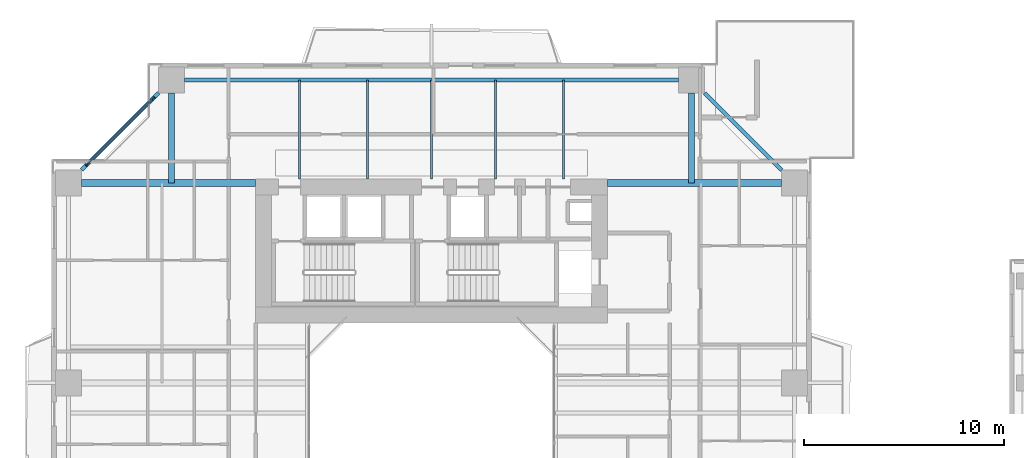
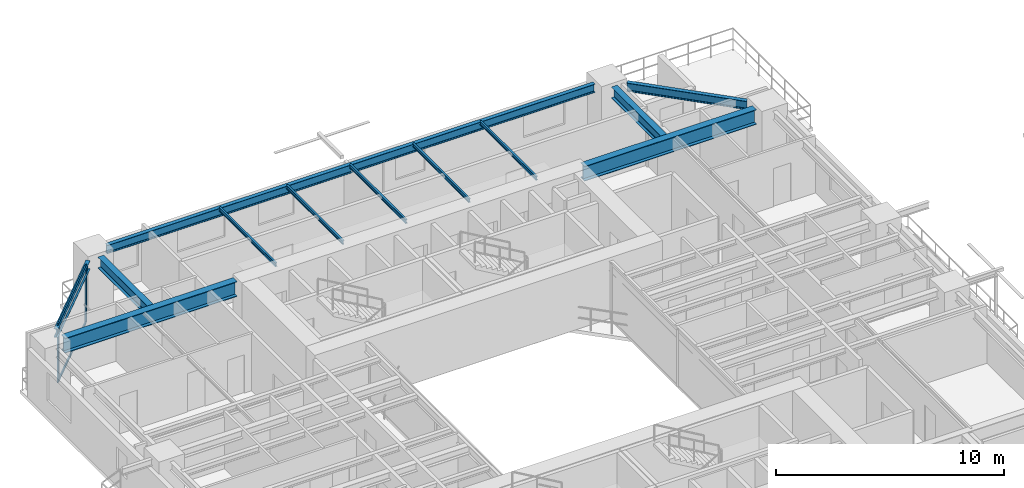
# One storey, part 9 of 23: 12 beams, 4 members, 1 element without a shape of its own.
"""IFC4 building model written with IfcOpenShell, lengths in metres."""

from ifc_helpers import new_model, si_unit, direction, frame, origin, origin_2d, place, context, subcontext, project, spatial, rectangle, i_section, extrude, source, transform, mapped, material, layer, layer_set, material_profile, profile_set, type_object, element, aggregate, save


model = new_model("IFC4")

# Units and contexts
model_context = context("Model", 3, precision=1e-05, world=origin(), true_north=direction((0.0, 1.0)))
body_context = subcontext(model_context, "Body", "Model", "MODEL_VIEW")
ifc_project = project(units=[si_unit("LENGTHUNIT", "METRE"), si_unit("AREAUNIT", "SQUARE_METRE"), si_unit("VOLUMEUNIT", "CUBIC_METRE"), si_unit("PLANEANGLEUNIT", "RADIAN"), si_unit("MASSUNIT", "GRAM", prefix="KILO"), si_unit("THERMODYNAMICTEMPERATUREUNIT", "KELVIN"), si_unit("POWERUNIT", "WATT")], contexts=[model_context])

# Site, building, storey
site_placement = place(None, origin())
site = spatial("IfcSite", under=ifc_project, at=site_placement, CompositionType="ELEMENT")
building_placement = place(site_placement, origin())
building = spatial("IfcBuilding", under=site, at=building_placement, Name="Qiaomeng Ring Towers", CompositionType="ELEMENT")
storey_placement = place(building_placement, frame((0.0, 0.0, 82.75)))
storey = spatial("IfcBuildingStorey", under=building, at=storey_placement, Name="L23", CompositionType="ELEMENT", Elevation=82.75)

# Beams
ifc_material_1 = material(Name="Steel Q355B", Category="steel")
ifc_material_profile_1 = material_profile(ifc_material_1, i_section(OverallWidth=0.199951171875, OverallDepth=0.449951171875, WebThickness=0.009033203125, FlangeThickness=0.013916015625, FilletRadius=0.01806640625, at=origin_2d()), Name="HN 450x200x9x14")
ifc_profile_set_1 = profile_set([ifc_material_profile_1], Name="Steel Q355B")
beam_type_1 = type_object("IfcBeamType", Name="STR-BM-HN450", PredefinedType="SPANDREL", material=ifc_profile_set_1)
shared_shape_1 = source(origin(), body_context, "Body", "SweptSolid", [
    extrude(i_section(OverallWidth=0.199951171875, OverallDepth=0.449951171875, WebThickness=0.009033203125, FlangeThickness=0.013916015625, FilletRadius=0.01806640625, at=origin_2d()), origin(), (0.0, 0.0, 1.0), 24.7021484375),
])
beam_placement = place(storey_placement, frame((31.35107421875, 41.14990234375, 2.844970703125), z_axis=(-1.0, 0.0, 0.0), x_axis=(0.0, -1.0, 0.0)))
element("IfcBeam", 1, at=beam_placement, inside=storey, type_object=beam_type_1, Name="L23 beam STR-SP-L23-T1-N2-N1", PredefinedType="SPANDREL", context=body_context, shape_type="MappedRepresentation", body=[
    mapped(shared_shape_1, transform((0.0, 0.0, 0.0), x_axis=(1.0, 0.0, 0.0), y_axis=(0.0, 1.0, 0.0), z_axis=(0.0, 0.0, 1.0), scale=1.0)),
])
shared_shape_2 = source(origin(), body_context, "Body", "SweptSolid", [
    extrude(i_section(OverallWidth=0.199951171875, OverallDepth=0.449951171875, WebThickness=0.009033203125, FlangeThickness=0.013916015625, FilletRadius=0.01806640625, at=origin_2d()), origin(), (0.0, 0.0, 1.0), 5.446533203125),
])
for number, where, z_axis, x_axis, name in (
    (2, (36.500732421875, 36.6494140625, 2.844970703125), (-0.707106781187, 0.707106781187, 0.0), (-0.707106781187, -0.707106781187, 0.0), "L23 beam STR-SP-L23-T1-E4-N2"),
    (3, (5.3505859375, 40.500732421875, 2.844970703125), (-0.707106781187, -0.707106781187, 0.0), (0.707106781187, -0.707106781187, 0.0), "L23 beam STR-SP-L23-T1-N1-W4"),
):
    element("IfcBeam", number, at=place(storey_placement, frame(where, z_axis=z_axis, x_axis=x_axis)), inside=storey, type_object=beam_type_1, Name=name, PredefinedType="SPANDREL", context=body_context, shape_type="MappedRepresentation", body=[
        mapped(shared_shape_2, transform((0.0, 0.0, 0.0), x_axis=(1.0, 0.0, 0.0), y_axis=(0.0, 1.0, 0.0), z_axis=(0.0, 0.0, 1.0), scale=1.0)),
    ])
ifc_material_2 = material(Name="Steel Q390GJC", Category="steel")
ifc_material_profile_2 = material_profile(ifc_material_2, i_section(OverallWidth=0.35009765625, OverallDepth=0.800048828125, WebThickness=0.01611328125, FlangeThickness=0.028076171875, at=origin_2d()), Name="WH 800x350x16x28")
ifc_profile_set_2 = profile_set([ifc_material_profile_2], Name="Steel Q390GJC")
beam_type_2 = type_object("IfcBeamType", Name="STR-BM-WH800", PredefinedType="BEAM", material=ifc_profile_set_2)
shared_shape_3 = source(origin(), body_context, "Body", "SweptSolid", [
    extrude(i_section(OverallWidth=0.35009765625, OverallDepth=0.800048828125, WebThickness=0.01611328125, FlangeThickness=0.028076171875, at=origin_2d()), origin(), (0.0, 0.0, 1.0), 8.700927734375),
])
for number, where, z_axis, x_axis, name in (
    (4, (1.4990234375, 36.0, 2.669921875), (1.0, 0.0, 0.0), (0.0, 1.0, 0.0), "L23 beam STR-BM-L23-T1-RAD-W4"),
    (5, (27.800048828125, 36.0, 2.669921875), (1.0, 0.0, 0.0), (0.0, 1.0, 0.0), "L23 beam STR-BM-L23-T1-RAD-E4"),
):
    element("IfcBeam", number, at=place(storey_placement, frame(where, z_axis=z_axis, x_axis=x_axis)), inside=storey, type_object=beam_type_2, Name=name, PredefinedType="BEAM", context=body_context, shape_type="MappedRepresentation", body=[
        mapped(shared_shape_3, transform((0.0, 0.0, 0.0), x_axis=(1.0, 0.0, 0.0), y_axis=(0.0, 1.0, 0.0), z_axis=(0.0, 0.0, 1.0), scale=1.0)),
    ])
ifc_material_profile_3 = material_profile(ifc_material_1, i_section(OverallWidth=0.300048828125, OverallDepth=0.587890625, WebThickness=0.011962890625, FlangeThickness=0.02001953125, FilletRadius=0.028076171875, at=origin_2d()), Name="HM 588x300x12x20")
ifc_profile_set_3 = profile_set([ifc_material_profile_3], Name="Steel Q355B")
beam_type_3 = type_object("IfcBeamType", Name="STR-BM-HM588", PredefinedType="BEAM", material=ifc_profile_set_3)
shared_shape_4 = source(origin(), body_context, "Body", "SweptSolid", [
    extrude(i_section(OverallWidth=0.300048828125, OverallDepth=0.587890625, WebThickness=0.011962890625, FlangeThickness=0.02001953125, FilletRadius=0.028076171875, at=origin_2d()), origin(), (0.0, 0.0, 1.0), 4.5009765625),
])
for number, where, z_axis, x_axis, name in (
    (6, (6.0, 40.5009765625, 2.77587890625), (0.0, -1.0, 0.0), (1.0, 0.0, 0.0), "L23 beam STR-BM-L23-T1-RAD-N1"),
    (7, (32.0, 40.5009765625, 2.77587890625), (0.0, -1.0, 0.0), (1.0, 0.0, 0.0), "L23 beam STR-BM-L23-T1-RAD-N2"),
):
    element("IfcBeam", number, at=place(storey_placement, frame(where, z_axis=z_axis, x_axis=x_axis)), inside=storey, type_object=beam_type_3, Name=name, PredefinedType="BEAM", context=body_context, shape_type="MappedRepresentation", body=[
        mapped(shared_shape_4, transform((0.0, 0.0, 0.0), x_axis=(1.0, 0.0, 0.0), y_axis=(0.0, 1.0, 0.0), z_axis=(0.0, 0.0, 1.0), scale=1.0)),
    ])
ifc_material_profile_4 = material_profile(ifc_material_1, i_section(OverallWidth=0.10009765625, OverallDepth=0.199951171875, WebThickness=0.005615234375, FlangeThickness=0.008056640625, FilletRadius=0.010986328125, at=origin_2d()), Name="HN 200x100x5.5x8")
ifc_profile_set_4 = profile_set([ifc_material_profile_4], Name="Steel Q355B")
beam_type_4 = type_object("IfcBeamType", Name="STR-BM-HN200", PredefinedType="JOIST", material=ifc_profile_set_4)
shared_shape_5 = source(origin(), body_context, "Body", "SweptSolid", [
    extrude(i_section(OverallWidth=0.10009765625, OverallDepth=0.199951171875, WebThickness=0.005615234375, FlangeThickness=0.008056640625, FilletRadius=0.010986328125, at=origin_2d()), origin(), (0.0, 0.0, 1.0), 4.949951171875),
])
for number, where, z_axis, x_axis, name in (
    (8, (12.39990234375, 36.199951171875, 2.969970703125), (0.0, 1.0, 0.0), (-1.0, 0.0, 0.0), "L23 beam STR-JST-L23-T1N-1"),
    (9, (15.800048828125, 36.199951171875, 2.969970703125), (0.0, 1.0, 0.0), (-1.0, 0.0, 0.0), "L23 beam STR-JST-L23-T1N-2"),
    (10, (19.0, 36.199951171875, 2.969970703125), (0.0, 1.0, 0.0), (-1.0, 0.0, 0.0), "L23 beam STR-JST-L23-T1N-3"),
    (11, (22.199951171875, 36.199951171875, 2.969970703125), (0.0, 1.0, 0.0), (-1.0, 0.0, 0.0), "L23 beam STR-JST-L23-T1N-4"),
    (12, (25.60009765625, 36.199951171875, 2.969970703125), (0.0, 1.0, 0.0), (-1.0, 0.0, 0.0), "L23 beam STR-JST-L23-T1N-5"),
):
    element("IfcBeam", number, at=place(storey_placement, frame(where, z_axis=z_axis, x_axis=x_axis)), inside=storey, type_object=beam_type_4, Name=name, PredefinedType="JOIST", context=body_context, shape_type="MappedRepresentation", body=[
        mapped(shared_shape_5, transform((0.0, 0.0, 0.0), x_axis=(1.0, 0.0, 0.0), y_axis=(0.0, 1.0, 0.0), z_axis=(0.0, 0.0, 1.0), scale=1.0)),
    ])

# Curtain wall, members
ifc_material_3 = material(Name="Fluorocarbon dark-grey aluminium", Category="aluminium")
ifc_layer = layer(ifc_material_3, 0.159912109375, Name="Fluorocarbon dark-grey aluminium")
ifc_layer_set = layer_set([ifc_layer], Name="Fluorocarbon dark-grey aluminium")
curtain_wall_type = type_object("IfcCurtainWallType", Name="ARC-CW-2", PredefinedType="NOTDEFINED", material=ifc_layer_set)
curtain_wall_placement = place(storey_placement, origin())
curtain_wall = element("IfcCurtainWall", 13, at=curtain_wall_placement, inside=storey, type_object=curtain_wall_type, Name="L23 Curtain Wall CW2", PredefinedType="NOTDEFINED")
ifc_material_profile_5 = material_profile(ifc_material_3, rectangle(XDim=0.070068359375, YDim=0.179931640625, at=origin_2d()), Name="ALU MULL 70x180")
ifc_profile_set_5 = profile_set([ifc_material_profile_5], Name="Fluorocarbon dark-grey aluminium")
member_type_1 = type_object("IfcMemberType", Name="ARC-CWM-160", PredefinedType="MULLION", material=ifc_profile_set_5)
shared_shape_6 = source(origin(), body_context, "Body", "SweptSolid", [
    extrude(rectangle(XDim=0.070068359375, YDim=0.179931640625, at=origin_2d()), origin(), (0.0, 0.0, 1.0), 3.070068359375),
])
member_1_placement = place(storey_placement, frame((5.085205078125, 40.2353515625, 0.0), z_axis=(0.0, 0.0, 1.0), x_axis=(0.707106781187, -0.707106781187, 0.0)))
member_1 = element("IfcMember", 14, at=member_1_placement, type_object=member_type_1, Name="CW2 mullion 1", PredefinedType="MULLION", context=body_context, shape_type="MappedRepresentation", body=[
    mapped(shared_shape_6, transform((0.0, 0.0, 0.0), x_axis=(1.0, 0.0, 0.0), y_axis=(0.0, 1.0, 0.0), z_axis=(0.0, 0.0, 1.0), scale=1.0)),
])
member_2_placement = place(storey_placement, frame((1.7646484375, 36.914794921875, 0.0), z_axis=(0.0, 0.0, 1.0), x_axis=(0.707106781187, -0.707106781187, 0.0)))
member_2 = element("IfcMember", 15, at=member_2_placement, type_object=member_type_1, Name="CW2 mullion 2", PredefinedType="MULLION", context=body_context, shape_type="MappedRepresentation", body=[
    mapped(shared_shape_6, transform((0.0, 0.0, 0.0), x_axis=(1.0, 0.0, 0.0), y_axis=(0.0, 1.0, 0.0), z_axis=(0.0, 0.0, 1.0), scale=1.0)),
])
ifc_material_profile_6 = material_profile(ifc_material_3, rectangle(XDim=0.06494140625, YDim=0.1298828125, at=origin_2d()), Name="ALU TRAN 65x130")
ifc_profile_set_6 = profile_set([ifc_material_profile_6], Name="Fluorocarbon dark-grey aluminium")
member_type_2 = type_object("IfcMemberType", Name="ARC-CWT-120", PredefinedType="USERDEFINED", material=ifc_profile_set_6)
shared_shape_7 = source(origin(), body_context, "Body", "SweptSolid", [
    extrude(rectangle(XDim=0.06494140625, YDim=0.1298828125, at=origin_2d()), origin(), (0.0, 0.0, 1.0), 4.6259765625),
])
member_3_placement = place(storey_placement, frame((5.060546875, 40.21044921875, 0.032470703125), z_axis=(-0.707106781187, -0.707106781187, 0.0), x_axis=(0.707106781187, -0.707106781187, 0.0)))
member_3 = element("IfcMember", 16, at=member_3_placement, type_object=member_type_2, Name="CW2 transom 1.1", ObjectType="TRANSOM", PredefinedType="USERDEFINED", context=body_context, shape_type="MappedRepresentation", body=[
    mapped(shared_shape_7, transform((0.0, 0.0, 0.0), x_axis=(1.0, 0.0, 0.0), y_axis=(0.0, 1.0, 0.0), z_axis=(0.0, 0.0, 1.0), scale=1.0)),
])
member_4_placement = place(storey_placement, frame((5.060546875, 40.21044921875, 3.03759765625), z_axis=(-0.707106781187, -0.707106781187, 0.0), x_axis=(0.707106781187, -0.707106781187, 0.0)))
member_4 = element("IfcMember", 17, at=member_4_placement, type_object=member_type_2, Name="CW2 transom 1.2", ObjectType="TRANSOM", PredefinedType="USERDEFINED", context=body_context, shape_type="MappedRepresentation", body=[
    mapped(shared_shape_7, transform((0.0, 0.0, 0.0), x_axis=(1.0, 0.0, 0.0), y_axis=(0.0, 1.0, 0.0), z_axis=(0.0, 0.0, 1.0), scale=1.0)),
])
aggregate(curtain_wall, [member_1, member_2, member_3, member_4])

save(model, "model.ifc")
